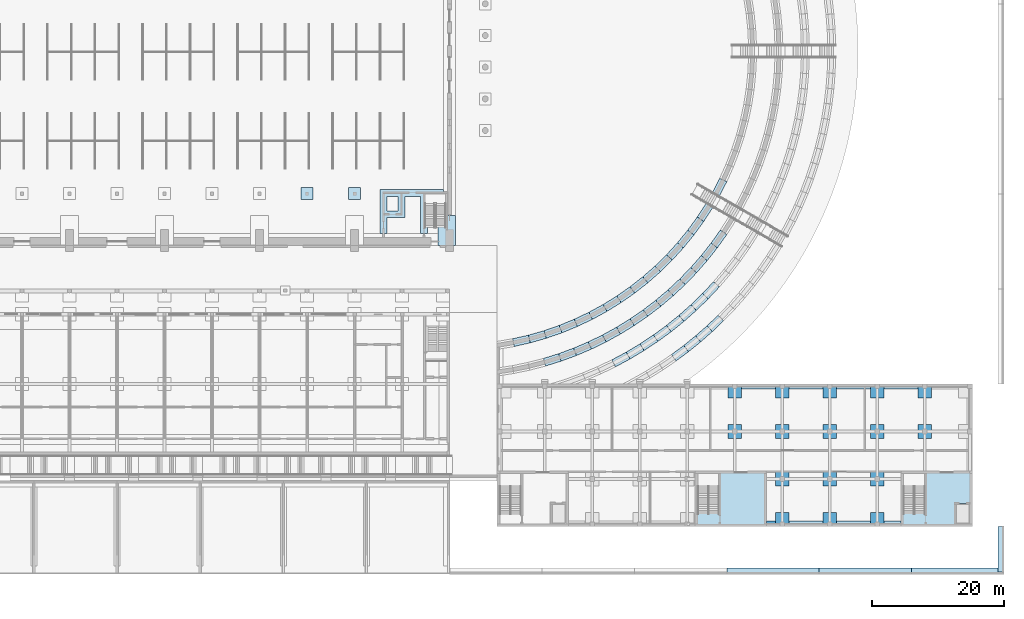
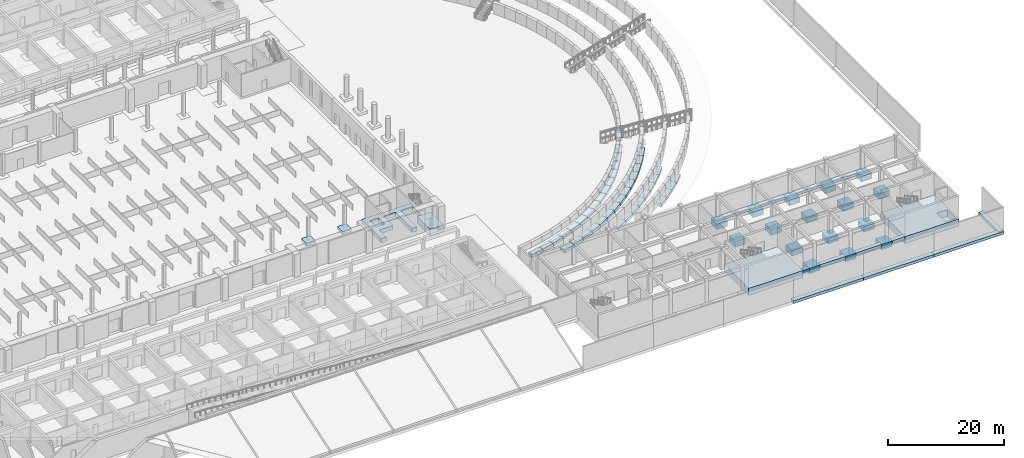
# One storey, part 7 of 73: 76 footings.
"""IFC4 building model written with IfcOpenShell, lengths in metres."""

from ifc_helpers import new_model, si_unit, direction, frame, origin, origin_2d, place, context, subcontext, project, spatial, polyline, rectangle, outline, extrude, material, type_object, element, save


model = new_model("IFC4")

# Units and contexts
model_context = context("Model", 3, precision=1e-05, world=origin(), true_north=direction((0.0, 1.0)))
body_context = subcontext(model_context, "Body", "Model", "MODEL_VIEW")
ifc_project = project(units=[si_unit("LENGTHUNIT", "METRE"), si_unit("AREAUNIT", "SQUARE_METRE"), si_unit("VOLUMEUNIT", "CUBIC_METRE"), si_unit("PLANEANGLEUNIT", "RADIAN"), si_unit("MASSUNIT", "GRAM", prefix="KILO")], contexts=[model_context])

# Site, building, storey
site_placement = place(None, origin())
site = spatial("IfcSite", under=ifc_project, at=site_placement, CompositionType="ELEMENT")
building_placement = place(site_placement, origin())
building = spatial("IfcBuilding", under=site, at=building_placement, Name="Alderwick Market Hall", CompositionType="ELEMENT")
storey_placement = place(building_placement, origin())
storey = spatial("IfcBuildingStorey", under=building, at=storey_placement, Name="LG", CompositionType="ELEMENT", Elevation=0.0)

# Footings
ifc_material = material(Name="Concrete 4000 psi (f'c 28 MPa)", Category="concrete")
footing_type_1 = type_object("IfcFootingType", Name="C Core Raft 10800x8400x1500", PredefinedType="PAD_FOOTING", material=ifc_material)
footing_1_placement = place(storey_placement, frame((0.0, 0.0, -1.800048828125)))
element("IfcFooting", 1, at=footing_1_placement, inside=storey, type_object=footing_type_1, Name="C.raft.LG.B", PredefinedType="PAD_FOOTING", context=body_context, shape_type="SweptSolid", body=[
    extrude(outline(polyline([(188.39990234375, 15.60009765625), (199.199951171875, 15.60009765625), (199.199951171875, 7.199951171875), (188.39990234375, 7.199951171875), (188.39990234375, 15.60009765625)])), origin(), (0.0, 0.0, 1.0), 1.5),
])
footing_2_placement = place(storey_placement, frame((0.0, 0.0, -1.800048828125)))
element("IfcFooting", 2, at=footing_2_placement, inside=storey, type_object=footing_type_1, Name="C.raft.LG.C", PredefinedType="PAD_FOOTING", context=body_context, shape_type="SweptSolid", body=[
    extrude(outline(polyline([(219.60009765625, 15.60009765625), (230.39990234375, 15.60009765625), (230.39990234375, 7.199951171875), (219.60009765625, 7.199951171875), (219.60009765625, 15.60009765625)]), holes=[polyline([(227.89990234375, 10.60009765625), (230.0, 10.60009765625), (230.0, 7.60009765625), (227.89990234375, 7.60009765625), (227.89990234375, 10.60009765625)])]), origin(), (0.0, 0.0, 1.0), 1.5),
])
footing_type_2 = type_object("IfcFootingType", Name="C Pad Footing 2100x2100x1200", PredefinedType="PAD_FOOTING", material=ifc_material)
for number, where, z_axis, x_axis, name in (
    (3, (194.39990234375, 27.75, -1.5), (0.0, 0.0, 1.0), (1.0, 0.0, 0.0), "C.cap.LG.06"),
    (4, (201.60009765625, 27.75, -1.5), (0.0, 0.0, 1.0), (1.0, 0.0, 0.0), "C.cap.LG.07"),
    (5, (208.800048828125, 27.75, -1.5), (0.0, 0.0, 1.0), (1.0, 0.0, 0.0), "C.cap.LG.08"),
    (6, (216.0, 27.75, -1.5), (0.0, 0.0, 1.0), (1.0, 0.0, 0.0), "C.cap.LG.09"),
    (7, (223.199951171875, 27.75, -1.5), (0.0, 0.0, 1.0), (1.0, 0.0, 0.0), "C.cap.LG.10"),
    (8, (194.39990234375, 21.60009765625, -1.5), (0.0, 0.0, 1.0), (1.0, 0.0, 0.0), "C.cap.LG.17"),
    (9, (201.60009765625, 21.60009765625, -1.5), (0.0, 0.0, 1.0), (1.0, 0.0, 0.0), "C.cap.LG.18"),
    (10, (208.800048828125, 21.60009765625, -1.5), (0.0, 0.0, 1.0), (1.0, 0.0, 0.0), "C.cap.LG.19"),
    (11, (216.0, 21.60009765625, -1.5), (0.0, 0.0, 1.0), (1.0, 0.0, 0.0), "C.cap.LG.20"),
    (12, (223.199951171875, 21.60009765625, -1.5), (0.0, 0.0, 1.0), (1.0, 0.0, 0.0), "C.cap.LG.21"),
    (13, (201.60009765625, 14.39990234375, -1.5), (0.0, 0.0, 1.0), (1.0, 0.0, 0.0), "C.cap.LG.26"),
    (14, (208.800048828125, 14.39990234375, -1.5), (0.0, 0.0, 1.0), (1.0, 0.0, 0.0), "C.cap.LG.27"),
    (15, (216.0, 14.39990234375, -1.5), (0.0, 0.0, 1.0), (1.0, 0.0, 0.0), "C.cap.LG.28"),
    (16, (201.60009765625, 8.25, -1.5), (0.0, 0.0, 1.0), (1.0, 0.0, 0.0), "C.cap.LG.32"),
    (17, (208.800048828125, 8.25, -1.5), (0.0, 0.0, 1.0), (1.0, 0.0, 0.0), "C.cap.LG.33"),
    (18, (216.0, 8.25, -1.5), (0.0, 0.0, 1.0), (1.0, 0.0, 0.0), "C.cap.LG.34"),
):
    element("IfcFooting", number, at=place(storey_placement, frame(where, z_axis=z_axis, x_axis=x_axis)), inside=storey, type_object=footing_type_2, Name=name, PredefinedType="PAD_FOOTING", context=body_context, shape_type="SweptSolid", body=[
        extrude(rectangle(XDim=2.10009765625, YDim=2.10009765625, at=origin_2d()), origin(), (0.0, 0.0, 1.0), 1.199951171875),
    ])
footing_type_3 = type_object("IfcFootingType", Name="C Strip Footing 800x600", PredefinedType="STRIP_FOOTING", material=ifc_material)
footing_3_placement = place(storey_placement, frame((0.0, 0.0, -0.89990234375)))
element("IfcFooting", 19, at=footing_3_placement, inside=storey, type_object=footing_type_3, Name="C.strip.LG.06", PredefinedType="STRIP_FOOTING", context=body_context, shape_type="SweptSolid", body=[
    extrude(outline(polyline([(195.450927734375, 28.0), (200.549072265625, 28.0), (200.549072265625, 28.800048828125), (195.450927734375, 28.800048828125), (195.450927734375, 28.0)])), origin(), (0.0, 0.0, 1.0), 0.599853515625),
])
footing_4_placement = place(storey_placement, frame((0.0, 0.0, -0.89990234375)))
element("IfcFooting", 20, at=footing_4_placement, inside=storey, type_object=footing_type_3, Name="C.strip.LG.07", PredefinedType="STRIP_FOOTING", context=body_context, shape_type="SweptSolid", body=[
    extrude(outline(polyline([(202.65087890625, 28.0), (207.7490234375, 28.0), (207.7490234375, 28.800048828125), (202.65087890625, 28.800048828125), (202.65087890625, 28.0)])), origin(), (0.0, 0.0, 1.0), 0.599853515625),
])
footing_5_placement = place(storey_placement, frame((0.0, 0.0, -0.89990234375)))
element("IfcFooting", 21, at=footing_5_placement, inside=storey, type_object=footing_type_3, Name="C.strip.LG.08", PredefinedType="STRIP_FOOTING", context=body_context, shape_type="SweptSolid", body=[
    extrude(outline(polyline([(209.85107421875, 28.0), (214.948974609375, 28.0), (214.948974609375, 28.800048828125), (209.85107421875, 28.800048828125), (209.85107421875, 28.0)])), origin(), (0.0, 0.0, 1.0), 0.599853515625),
])
footing_6_placement = place(storey_placement, frame((0.0, 0.0, -0.89990234375)))
element("IfcFooting", 22, at=footing_6_placement, inside=storey, type_object=footing_type_3, Name="C.strip.LG.09", PredefinedType="STRIP_FOOTING", context=body_context, shape_type="SweptSolid", body=[
    extrude(outline(polyline([(217.051025390625, 28.0), (222.14892578125, 28.0), (222.14892578125, 28.800048828125), (217.051025390625, 28.800048828125), (217.051025390625, 28.0)])), origin(), (0.0, 0.0, 1.0), 0.599853515625),
])
footing_7_placement = place(storey_placement, frame((0.0, 0.0, -0.89990234375)))
element("IfcFooting", 23, at=footing_7_placement, inside=storey, type_object=footing_type_3, Name="C.strip.LG.14", PredefinedType="STRIP_FOOTING", context=body_context, shape_type="SweptSolid", body=[
    extrude(outline(polyline([(199.200927734375, 7.199951171875), (200.549072265625, 7.199951171875), (200.549072265625, 8.0), (199.200927734375, 8.0), (199.200927734375, 7.199951171875)])), origin(), (0.0, 0.0, 1.0), 0.599853515625),
])
footing_8_placement = place(storey_placement, frame((0.0, 0.0, -0.89990234375)))
element("IfcFooting", 24, at=footing_8_placement, inside=storey, type_object=footing_type_3, Name="C.strip.LG.15", PredefinedType="STRIP_FOOTING", context=body_context, shape_type="SweptSolid", body=[
    extrude(outline(polyline([(202.65087890625, 7.199951171875), (207.7490234375, 7.199951171875), (207.7490234375, 8.0), (202.65087890625, 8.0), (202.65087890625, 7.199951171875)])), origin(), (0.0, 0.0, 1.0), 0.599853515625),
])
footing_9_placement = place(storey_placement, frame((0.0, 0.0, -0.89990234375)))
element("IfcFooting", 25, at=footing_9_placement, inside=storey, type_object=footing_type_3, Name="C.strip.LG.16", PredefinedType="STRIP_FOOTING", context=body_context, shape_type="SweptSolid", body=[
    extrude(outline(polyline([(209.85107421875, 7.199951171875), (214.948974609375, 7.199951171875), (214.948974609375, 8.0), (209.85107421875, 8.0), (209.85107421875, 7.199951171875)])), origin(), (0.0, 0.0, 1.0), 0.599853515625),
])
footing_10_placement = place(storey_placement, frame((0.0, 0.0, -0.89990234375)))
element("IfcFooting", 26, at=footing_10_placement, inside=storey, type_object=footing_type_3, Name="C.strip.LG.17", PredefinedType="STRIP_FOOTING", context=body_context, shape_type="SweptSolid", body=[
    extrude(outline(polyline([(217.051025390625, 7.199951171875), (219.59912109375, 7.199951171875), (219.59912109375, 8.0), (217.051025390625, 8.0), (217.051025390625, 7.199951171875)])), origin(), (0.0, 0.0, 1.0), 0.599853515625),
])
footing_type_4 = type_object("IfcFootingType", Name="H Pad footing 1800x1800x600", PredefinedType="PAD_FOOTING", material=ifc_material)
footing_11_placement = place(storey_placement, frame((0.0, 0.0, -0.60009765625)))
element("IfcFooting", 27, at=footing_11_placement, inside=storey, type_object=footing_type_4, Name="Pad footing", PredefinedType="PAD_FOOTING", context=body_context, shape_type="SweptSolid", body=[
    extrude(outline(polyline([(128.699951171875, 56.739990234375), (128.699951171875, 58.5400390625), (130.5, 58.5400390625), (130.5, 56.739990234375), (128.699951171875, 56.739990234375)])), origin(), (0.0, 0.0, 1.0), 0.60009765625),
])
footing_12_placement = place(storey_placement, frame((0.0, 0.0, -0.60009765625)))
element("IfcFooting", 28, at=footing_12_placement, inside=storey, type_object=footing_type_4, Name="Pad footing", PredefinedType="PAD_FOOTING", context=body_context, shape_type="SweptSolid", body=[
    extrude(outline(polyline([(135.89990234375, 56.739990234375), (135.89990234375, 58.5400390625), (137.699951171875, 58.5400390625), (137.699951171875, 56.739990234375), (135.89990234375, 56.739990234375)])), origin(), (0.0, 0.0, 1.0), 0.60009765625),
])
footing_type_5 = type_object("IfcFootingType", Name="H Pad footing 2700x4500x1500", PredefinedType="PAD_FOOTING", material=ifc_material)
footing_13_placement = place(storey_placement, frame((150.75, 52.050048828125, -1.5), z_axis=(0.0, 0.0, 1.0), x_axis=(1.0, 0.0, 0.0)))
element("IfcFooting", 29, at=footing_13_placement, inside=storey, type_object=footing_type_5, Name="Pier footing S8", PredefinedType="PAD_FOOTING", context=body_context, shape_type="SweptSolid", body=[
    extrude(rectangle(XDim=2.699951171875, YDim=4.5, at=origin_2d()), origin(), (0.0, 0.0, 1.0), 1.5),
])
footing_type_6 = type_object("IfcFootingType", Name="H Strip footing 900", PredefinedType="STRIP_FOOTING", material=ifc_material)
footing_14_placement = place(storey_placement, frame((0.0, 0.0, -0.89990234375)))
element("IfcFooting", 30, at=footing_14_placement, inside=storey, type_object=footing_type_6, Name="Core wall footing", PredefinedType="STRIP_FOOTING", context=body_context, shape_type="SweptSolid", body=[
    extrude(outline(polyline([(150.300048828125, 54.300048828125), (150.199951171875, 54.300048828125), (150.199951171875, 57.239990234375), (147.85009765625, 57.239990234375), (147.85009765625, 51.60009765625), (146.800048828125, 51.60009765625), (146.800048828125, 57.239990234375), (144.449951171875, 57.239990234375), (144.449951171875, 53.989990234375), (141.699951171875, 53.989990234375), (141.699951171875, 51.60009765625), (140.64990234375, 51.60009765625), (140.64990234375, 58.2900390625), (150.300048828125, 58.2900390625), (150.300048828125, 54.300048828125)]), holes=[polyline([(141.699951171875, 57.239990234375), (141.699951171875, 55.0400390625), (143.39990234375, 55.0400390625), (143.39990234375, 57.239990234375), (141.699951171875, 57.239990234375)])]), origin(), (0.0, 0.0, 1.0), 0.89990234375),
])
footing_type_7 = type_object("IfcFootingType", Name="S Strip Footing 900", PredefinedType="STRIP_FOOTING", material=ifc_material)
footing_15_placement = place(storey_placement, frame((0.0, 0.0, -0.800048828125)))
element("IfcFooting", 31, at=footing_15_placement, inside=storey, type_object=footing_type_7, Name="S.ffoot.W1.02", PredefinedType="STRIP_FOOTING", context=body_context, shape_type="SweptSolid", body=[
    extrude(outline(polyline([(160.968994140625, 34.470703125), (163.427001953125, 35.029296875), (163.12890625, 36.191650390625), (160.735595703125, 35.64794921875), (160.968994140625, 34.470703125)])), origin(), (0.0, 0.0, 1.0), 0.60009765625),
])
footing_16_placement = place(storey_placement, frame((0.0, 0.0, -0.800048828125)))
element("IfcFooting", 32, at=footing_16_placement, inside=storey, type_object=footing_type_7, Name="S.ffoot.W1.03", PredefinedType="STRIP_FOOTING", context=body_context, shape_type="SweptSolid", body=[
    extrude(outline(polyline([(163.427001953125, 35.029296875), (165.85009765625, 35.722412109375), (165.48828125, 36.86669921875), (163.12890625, 36.191650390625), (163.427001953125, 35.029296875)])), origin(), (0.0, 0.0, 1.0), 0.60009765625),
])
footing_17_placement = place(storey_placement, frame((0.0, 0.0, -0.800048828125)))
element("IfcFooting", 33, at=footing_17_placement, inside=storey, type_object=footing_type_7, Name="S.ffoot.W1.04", PredefinedType="STRIP_FOOTING", context=body_context, shape_type="SweptSolid", body=[
    extrude(outline(polyline([(165.85009765625, 35.722412109375), (168.2314453125, 36.548583984375), (167.806884765625, 37.671142578125), (165.48828125, 36.86669921875), (165.85009765625, 35.722412109375)])), origin(), (0.0, 0.0, 1.0), 0.60009765625),
])
footing_18_placement = place(storey_placement, frame((0.0, 0.0, -0.800048828125)))
element("IfcFooting", 34, at=footing_18_placement, inside=storey, type_object=footing_type_7, Name="S.ffoot.W1.05", PredefinedType="STRIP_FOOTING", context=body_context, shape_type="SweptSolid", body=[
    extrude(outline(polyline([(168.2314453125, 36.548583984375), (170.5634765625, 37.505126953125), (170.07763671875, 38.602294921875), (167.806884765625, 37.671142578125), (168.2314453125, 36.548583984375)])), origin(), (0.0, 0.0, 1.0), 0.60009765625),
])
footing_19_placement = place(storey_placement, frame((0.0, 0.0, -0.800048828125)))
element("IfcFooting", 35, at=footing_19_placement, inside=storey, type_object=footing_type_7, Name="S.ffoot.W1.06", PredefinedType="STRIP_FOOTING", context=body_context, shape_type="SweptSolid", body=[
    extrude(outline(polyline([(170.5634765625, 37.505126953125), (172.839111328125, 38.589111328125), (172.29345703125, 39.65771484375), (170.07763671875, 38.602294921875), (170.5634765625, 37.505126953125)])), origin(), (0.0, 0.0, 1.0), 0.60009765625),
])
footing_20_placement = place(storey_placement, frame((0.0, 0.0, -0.800048828125)))
element("IfcFooting", 36, at=footing_20_placement, inside=storey, type_object=footing_type_7, Name="S.ffoot.W1.07", PredefinedType="STRIP_FOOTING", context=body_context, shape_type="SweptSolid", body=[
    extrude(outline(polyline([(172.839111328125, 38.589111328125), (175.05126953125, 39.797119140625), (174.447509765625, 40.833984375), (172.29345703125, 39.65771484375), (172.839111328125, 38.589111328125)])), origin(), (0.0, 0.0, 1.0), 0.60009765625),
])
footing_21_placement = place(storey_placement, frame((0.0, 0.0, -0.800048828125)))
element("IfcFooting", 37, at=footing_21_placement, inside=storey, type_object=footing_type_7, Name="S.ffoot.W1.08", PredefinedType="STRIP_FOOTING", context=body_context, shape_type="SweptSolid", body=[
    extrude(outline(polyline([(175.05126953125, 39.797119140625), (177.193603515625, 41.12548828125), (176.533203125, 42.127197265625), (174.447509765625, 40.833984375), (175.05126953125, 39.797119140625)])), origin(), (0.0, 0.0, 1.0), 0.60009765625),
])
footing_22_placement = place(storey_placement, frame((0.0, 0.0, -0.800048828125)))
element("IfcFooting", 38, at=footing_22_placement, inside=storey, type_object=footing_type_7, Name="S.ffoot.W1.09", PredefinedType="STRIP_FOOTING", context=body_context, shape_type="SweptSolid", body=[
    extrude(outline(polyline([(177.193603515625, 41.12548828125), (179.2587890625, 42.570068359375), (178.544189453125, 43.533935546875), (176.533203125, 42.127197265625), (177.193603515625, 41.12548828125)])), origin(), (0.0, 0.0, 1.0), 0.60009765625),
])
footing_23_placement = place(storey_placement, frame((0.0, 0.0, -0.800048828125)))
element("IfcFooting", 39, at=footing_23_placement, inside=storey, type_object=footing_type_7, Name="S.ffoot.W1.10", PredefinedType="STRIP_FOOTING", context=body_context, shape_type="SweptSolid", body=[
    extrude(outline(polyline([(179.2587890625, 42.570068359375), (181.2412109375, 44.126708984375), (180.474609375, 45.049560546875), (178.544189453125, 43.533935546875), (179.2587890625, 42.570068359375)])), origin(), (0.0, 0.0, 1.0), 0.60009765625),
])
footing_24_placement = place(storey_placement, frame((0.0, 0.0, -0.800048828125)))
element("IfcFooting", 40, at=footing_24_placement, inside=storey, type_object=footing_type_7, Name="S.ffoot.W1.11", PredefinedType="STRIP_FOOTING", context=body_context, shape_type="SweptSolid", body=[
    extrude(outline(polyline([(181.2412109375, 44.126708984375), (183.134765625, 45.790283203125), (182.318115234375, 46.669677734375), (180.474609375, 45.049560546875), (181.2412109375, 44.126708984375)])), origin(), (0.0, 0.0, 1.0), 0.60009765625),
])
footing_25_placement = place(storey_placement, frame((0.0, 0.0, -0.800048828125)))
element("IfcFooting", 41, at=footing_25_placement, inside=storey, type_object=footing_type_7, Name="S.ffoot.W1.12", PredefinedType="STRIP_FOOTING", context=body_context, shape_type="SweptSolid", body=[
    extrude(outline(polyline([(183.134765625, 45.790283203125), (184.933349609375, 47.55615234375), (184.0693359375, 48.388916015625), (182.318115234375, 46.669677734375), (183.134765625, 45.790283203125)])), origin(), (0.0, 0.0, 1.0), 0.60009765625),
])
footing_26_placement = place(storey_placement, frame((0.0, 0.0, -0.800048828125)))
element("IfcFooting", 42, at=footing_26_placement, inside=storey, type_object=footing_type_7, Name="S.ffoot.W1.13", PredefinedType="STRIP_FOOTING", context=body_context, shape_type="SweptSolid", body=[
    extrude(outline(polyline([(184.933349609375, 47.55615234375), (186.631591796875, 49.418701171875), (185.722900390625, 50.202392578125), (184.0693359375, 48.388916015625), (184.933349609375, 47.55615234375)])), origin(), (0.0, 0.0, 1.0), 0.60009765625),
])
footing_27_placement = place(storey_placement, frame((0.0, 0.0, -0.800048828125)))
element("IfcFooting", 43, at=footing_27_placement, inside=storey, type_object=footing_type_7, Name="S.ffoot.W1.14", PredefinedType="STRIP_FOOTING", context=body_context, shape_type="SweptSolid", body=[
    extrude(outline(polyline([(186.631591796875, 49.418701171875), (188.224365234375, 51.372314453125), (187.273681640625, 52.1044921875), (185.722900390625, 50.202392578125), (186.631591796875, 49.418701171875)])), origin(), (0.0, 0.0, 1.0), 0.60009765625),
])
footing_28_placement = place(storey_placement, frame((0.0, 0.0, -0.800048828125)))
element("IfcFooting", 44, at=footing_28_placement, inside=storey, type_object=footing_type_7, Name="S.ffoot.W1.15", PredefinedType="STRIP_FOOTING", context=body_context, shape_type="SweptSolid", body=[
    extrude(outline(polyline([(188.224365234375, 51.372314453125), (189.706787109375, 53.41064453125), (188.71728515625, 54.08935546875), (187.273681640625, 52.1044921875), (188.224365234375, 51.372314453125)])), origin(), (0.0, 0.0, 1.0), 0.60009765625),
])
footing_29_placement = place(storey_placement, frame((0.0, 0.0, -0.800048828125)))
element("IfcFooting", 45, at=footing_29_placement, inside=storey, type_object=footing_type_7, Name="S.ffoot.W1.16", PredefinedType="STRIP_FOOTING", context=body_context, shape_type="SweptSolid", body=[
    extrude(outline(polyline([(189.706787109375, 53.41064453125), (191.07421875, 55.528076171875), (190.048583984375, 56.15087890625), (188.71728515625, 54.08935546875), (189.706787109375, 53.41064453125)])), origin(), (0.0, 0.0, 1.0), 0.60009765625),
])
footing_30_placement = place(storey_placement, frame((0.0, 0.0, -0.800048828125)))
element("IfcFooting", 46, at=footing_30_placement, inside=storey, type_object=footing_type_7, Name="S.ffoot.W1.17", PredefinedType="STRIP_FOOTING", context=body_context, shape_type="SweptSolid", body=[
    extrude(outline(polyline([(192.087646484375, 57.283203125), (193.197265625, 59.442138671875), (192.11572265625, 59.962158203125), (191.035400390625, 57.860107421875), (192.087646484375, 57.283203125)])), origin(), (0.0, 0.0, 1.0), 0.60009765625),
])
footing_31_placement = place(storey_placement, frame((0.0, 0.0, 0.300048828125)))
element("IfcFooting", 47, at=footing_31_placement, inside=storey, type_object=footing_type_7, Name="S.ffoot.W2.04", PredefinedType="STRIP_FOOTING", context=body_context, shape_type="SweptSolid", body=[
    extrude(outline(polyline([(165.739013671875, 31.51220703125), (168.099853515625, 32.25146484375), (167.712890625, 33.38720703125), (165.4091796875, 32.666015625), (165.739013671875, 31.51220703125)])), origin(), (0.0, 0.0, 1.0), 0.599853515625),
])
footing_32_placement = place(storey_placement, frame((0.0, 0.0, 0.300048828125)))
element("IfcFooting", 48, at=footing_32_placement, inside=storey, type_object=footing_type_7, Name="S.ffoot.W2.05", PredefinedType="STRIP_FOOTING", context=body_context, shape_type="SweptSolid", body=[
    extrude(outline(polyline([(168.099853515625, 32.25146484375), (170.4208984375, 33.107666015625), (169.9775390625, 34.222900390625), (167.712890625, 33.38720703125), (168.099853515625, 32.25146484375)])), origin(), (0.0, 0.0, 1.0), 0.599853515625),
])
footing_33_placement = place(storey_placement, frame((0.0, 0.0, 0.300048828125)))
element("IfcFooting", 49, at=footing_33_placement, inside=storey, type_object=footing_type_7, Name="S.ffoot.W2.06", PredefinedType="STRIP_FOOTING", context=body_context, shape_type="SweptSolid", body=[
    extrude(outline(polyline([(170.4208984375, 33.107666015625), (172.6962890625, 34.07861328125), (172.197998046875, 35.170166015625), (169.9775390625, 34.222900390625), (170.4208984375, 33.107666015625)])), origin(), (0.0, 0.0, 1.0), 0.599853515625),
])
footing_34_placement = place(storey_placement, frame((0.0, 0.0, 0.300048828125)))
element("IfcFooting", 50, at=footing_34_placement, inside=storey, type_object=footing_type_7, Name="S.ffoot.W2.07", PredefinedType="STRIP_FOOTING", context=body_context, shape_type="SweptSolid", body=[
    extrude(outline(polyline([(172.6962890625, 34.07861328125), (174.92041015625, 35.16162109375), (174.368408203125, 36.22705078125), (172.197998046875, 35.170166015625), (172.6962890625, 34.07861328125)])), origin(), (0.0, 0.0, 1.0), 0.599853515625),
])
footing_35_placement = place(storey_placement, frame((0.0, 0.0, 0.300048828125)))
element("IfcFooting", 51, at=footing_35_placement, inside=storey, type_object=footing_type_7, Name="S.ffoot.W2.08", PredefinedType="STRIP_FOOTING", context=body_context, shape_type="SweptSolid", body=[
    extrude(outline(polyline([(174.92041015625, 35.16162109375), (177.087890625, 36.35400390625), (176.4833984375, 37.390625), (174.368408203125, 36.22705078125), (174.92041015625, 35.16162109375)])), origin(), (0.0, 0.0, 1.0), 0.599853515625),
])
footing_36_placement = place(storey_placement, frame((0.0, 0.0, 0.300048828125)))
element("IfcFooting", 52, at=footing_36_placement, inside=storey, type_object=footing_type_7, Name="S.ffoot.W2.09", PredefinedType="STRIP_FOOTING", context=body_context, shape_type="SweptSolid", body=[
    extrude(outline(polyline([(177.087890625, 36.35400390625), (179.193115234375, 37.6533203125), (178.53759765625, 38.658447265625), (176.4833984375, 37.390625), (177.087890625, 36.35400390625)])), origin(), (0.0, 0.0, 1.0), 0.599853515625),
])
footing_37_placement = place(storey_placement, frame((0.0, 0.0, 0.300048828125)))
element("IfcFooting", 53, at=footing_37_placement, inside=storey, type_object=footing_type_7, Name="S.ffoot.W2.10", PredefinedType="STRIP_FOOTING", context=body_context, shape_type="SweptSolid", body=[
    extrude(outline(polyline([(179.193115234375, 37.6533203125), (181.23095703125, 39.055908203125), (180.526123046875, 40.027099609375), (178.53759765625, 38.658447265625), (179.193115234375, 37.6533203125)])), origin(), (0.0, 0.0, 1.0), 0.599853515625),
])
footing_38_placement = place(storey_placement, frame((0.0, 0.0, 0.300048828125)))
element("IfcFooting", 54, at=footing_38_placement, inside=storey, type_object=footing_type_7, Name="S.ffoot.W2.11", PredefinedType="STRIP_FOOTING", context=body_context, shape_type="SweptSolid", body=[
    extrude(outline(polyline([(181.23095703125, 39.055908203125), (183.1962890625, 40.558349609375), (182.44384765625, 41.4931640625), (180.526123046875, 40.027099609375), (181.23095703125, 39.055908203125)])), origin(), (0.0, 0.0, 1.0), 0.599853515625),
])
footing_39_placement = place(storey_placement, frame((0.0, 0.0, 0.300048828125)))
element("IfcFooting", 55, at=footing_39_placement, inside=storey, type_object=footing_type_7, Name="S.ffoot.W2.12", PredefinedType="STRIP_FOOTING", context=body_context, shape_type="SweptSolid", body=[
    extrude(outline(polyline([(183.1962890625, 40.558349609375), (185.084228515625, 42.15673828125), (184.286376953125, 43.052978515625), (182.44384765625, 41.4931640625), (183.1962890625, 40.558349609375)])), origin(), (0.0, 0.0, 1.0), 0.599853515625),
])
footing_40_placement = place(storey_placement, frame((0.0, 0.0, 0.300048828125)))
element("IfcFooting", 56, at=footing_40_placement, inside=storey, type_object=footing_type_7, Name="S.ffoot.W2.13", PredefinedType="STRIP_FOOTING", context=body_context, shape_type="SweptSolid", body=[
    extrude(outline(polyline([(185.084228515625, 42.15673828125), (186.89013671875, 43.847412109375), (186.048583984375, 44.702880859375), (184.286376953125, 43.052978515625), (185.084228515625, 42.15673828125)])), origin(), (0.0, 0.0, 1.0), 0.599853515625),
])
footing_41_placement = place(storey_placement, frame((0.0, 0.0, 0.300048828125)))
element("IfcFooting", 57, at=footing_41_placement, inside=storey, type_object=footing_type_7, Name="S.ffoot.W2.14", PredefinedType="STRIP_FOOTING", context=body_context, shape_type="SweptSolid", body=[
    extrude(outline(polyline([(186.89013671875, 43.847412109375), (188.609619140625, 45.626220703125), (187.726318359375, 46.4384765625), (186.048583984375, 44.702880859375), (186.89013671875, 43.847412109375)])), origin(), (0.0, 0.0, 1.0), 0.599853515625),
])
footing_42_placement = place(storey_placement, frame((0.0, 0.0, 0.300048828125)))
element("IfcFooting", 58, at=footing_42_placement, inside=storey, type_object=footing_type_7, Name="S.ffoot.W2.15", PredefinedType="STRIP_FOOTING", context=body_context, shape_type="SweptSolid", body=[
    extrude(outline(polyline([(188.609619140625, 45.626220703125), (190.23828125, 47.48828125), (189.315673828125, 48.255615234375), (187.726318359375, 46.4384765625), (188.609619140625, 45.626220703125)])), origin(), (0.0, 0.0, 1.0), 0.599853515625),
])
footing_43_placement = place(storey_placement, frame((0.0, 0.0, 0.300048828125)))
element("IfcFooting", 59, at=footing_43_placement, inside=storey, type_object=footing_type_7, Name="S.ffoot.W2.16", PredefinedType="STRIP_FOOTING", context=body_context, shape_type="SweptSolid", body=[
    extrude(outline(polyline([(190.23828125, 47.48828125), (191.77197265625, 49.42919921875), (190.812255859375, 50.149658203125), (189.315673828125, 48.255615234375), (190.23828125, 47.48828125)])), origin(), (0.0, 0.0, 1.0), 0.599853515625),
])
footing_44_placement = place(storey_placement, frame((0.0, 0.0, 0.300048828125)))
element("IfcFooting", 60, at=footing_44_placement, inside=storey, type_object=footing_type_7, Name="S.ffoot.W2.17", PredefinedType="STRIP_FOOTING", context=body_context, shape_type="SweptSolid", body=[
    extrude(outline(polyline([(191.77197265625, 49.42919921875), (193.20703125, 51.4443359375), (192.21240234375, 52.115966796875), (190.812255859375, 50.149658203125), (191.77197265625, 49.42919921875)])), origin(), (0.0, 0.0, 1.0), 0.599853515625),
])
footing_45_placement = place(storey_placement, frame((0.0, 0.0, 1.5)))
element("IfcFooting", 61, at=footing_45_placement, inside=storey, type_object=footing_type_7, Name="S.ffoot.W3.04", PredefinedType="STRIP_FOOTING", context=body_context, shape_type="SweptSolid", body=[
    extrude(outline(polyline([(176.3369140625, 31.392822265625), (178.537353515625, 32.573486328125), (177.945556640625, 33.617431640625), (175.79443359375, 32.463134765625), (176.3369140625, 31.392822265625)])), origin(), (0.0, 0.0, 1.0), 0.60009765625),
])
footing_46_placement = place(storey_placement, frame((0.0, 0.0, 1.5)))
element("IfcFooting", 62, at=footing_46_placement, inside=storey, type_object=footing_type_7, Name="S.ffoot.W3.05", PredefinedType="STRIP_FOOTING", context=body_context, shape_type="SweptSolid", body=[
    extrude(outline(polyline([(178.537353515625, 32.573486328125), (180.680419921875, 33.85546875), (180.04052734375, 34.87060546875), (177.945556640625, 33.617431640625), (178.537353515625, 32.573486328125)])), origin(), (0.0, 0.0, 1.0), 0.60009765625),
])
footing_47_placement = place(storey_placement, frame((0.0, 0.0, 1.5)))
element("IfcFooting", 63, at=footing_47_placement, inside=storey, type_object=footing_type_7, Name="S.ffoot.W3.06", PredefinedType="STRIP_FOOTING", context=body_context, shape_type="SweptSolid", body=[
    extrude(outline(polyline([(180.680419921875, 33.85546875), (182.76123046875, 35.23583984375), (182.074951171875, 36.22021484375), (180.04052734375, 34.87060546875), (180.680419921875, 33.85546875)])), origin(), (0.0, 0.0, 1.0), 0.60009765625),
])
footing_48_placement = place(storey_placement, frame((0.0, 0.0, 1.5)))
element("IfcFooting", 64, at=footing_48_placement, inside=storey, type_object=footing_type_7, Name="S.ffoot.W3.07", PredefinedType="STRIP_FOOTING", context=body_context, shape_type="SweptSolid", body=[
    extrude(outline(polyline([(182.76123046875, 35.23583984375), (184.775634765625, 36.711669921875), (184.044189453125, 37.662841796875), (182.074951171875, 36.22021484375), (182.76123046875, 35.23583984375)])), origin(), (0.0, 0.0, 1.0), 0.60009765625),
])
footing_49_placement = place(storey_placement, frame((0.0, 0.0, 1.5)))
element("IfcFooting", 65, at=footing_49_placement, inside=storey, type_object=footing_type_7, Name="S.ffoot.W3.08", PredefinedType="STRIP_FOOTING", context=body_context, shape_type="SweptSolid", body=[
    extrude(outline(polyline([(184.775634765625, 36.711669921875), (186.71923828125, 38.27978515625), (185.944091796875, 39.19580078125), (184.044189453125, 37.662841796875), (184.775634765625, 36.711669921875)])), origin(), (0.0, 0.0, 1.0), 0.60009765625),
])
footing_50_placement = place(storey_placement, frame((0.0, 0.0, 1.5)))
element("IfcFooting", 66, at=footing_50_placement, inside=storey, type_object=footing_type_7, Name="S.ffoot.W3.09", PredefinedType="STRIP_FOOTING", context=body_context, shape_type="SweptSolid", body=[
    extrude(outline(polyline([(186.71923828125, 38.27978515625), (188.587646484375, 39.9365234375), (187.770751953125, 40.815673828125), (185.944091796875, 39.19580078125), (186.71923828125, 38.27978515625)])), origin(), (0.0, 0.0, 1.0), 0.60009765625),
])
footing_51_placement = place(storey_placement, frame((0.0, 0.0, 1.5)))
element("IfcFooting", 67, at=footing_51_placement, inside=storey, type_object=footing_type_7, Name="S.ffoot.W3.10", PredefinedType="STRIP_FOOTING", context=body_context, shape_type="SweptSolid", body=[
    extrude(outline(polyline([(188.587646484375, 39.9365234375), (190.376708984375, 41.6787109375), (189.519775390625, 42.518798828125), (187.770751953125, 40.815673828125), (188.587646484375, 39.9365234375)])), origin(), (0.0, 0.0, 1.0), 0.60009765625),
])
footing_52_placement = place(storey_placement, frame((0.0, 0.0, 1.5)))
element("IfcFooting", 68, at=footing_52_placement, inside=storey, type_object=footing_type_7, Name="S.ffoot.W3.11", PredefinedType="STRIP_FOOTING", context=body_context, shape_type="SweptSolid", body=[
    extrude(outline(polyline([(190.376708984375, 41.6787109375), (192.082763671875, 43.502197265625), (191.1875, 44.30126953125), (189.519775390625, 42.518798828125), (190.376708984375, 41.6787109375)])), origin(), (0.0, 0.0, 1.0), 0.60009765625),
])
footing_53_placement = place(storey_placement, frame((0.0, 0.0, 2.699951171875)))
element("IfcFooting", 69, at=footing_53_placement, inside=storey, type_object=footing_type_7, Name="S.ffoot.W4.04", PredefinedType="STRIP_FOOTING", context=body_context, shape_type="SweptSolid", body=[
    extrude(outline(polyline([(185.502685546875, 32.2744140625), (187.402587890625, 33.6865234375), (186.667236328125, 34.634765625), (184.806884765625, 33.251953125), (185.502685546875, 32.2744140625)])), origin(), (0.0, 0.0, 1.0), 0.60009765625),
])
footing_54_placement = place(storey_placement, frame((0.0, 0.0, 2.699951171875)))
element("IfcFooting", 70, at=footing_54_placement, inside=storey, type_object=footing_type_7, Name="S.ffoot.W4.05", PredefinedType="STRIP_FOOTING", context=body_context, shape_type="SweptSolid", body=[
    extrude(outline(polyline([(187.402587890625, 33.6865234375), (189.2431640625, 35.175537109375), (188.46923828125, 36.0927734375), (186.667236328125, 34.634765625), (187.402587890625, 33.6865234375)])), origin(), (0.0, 0.0, 1.0), 0.60009765625),
])
footing_55_placement = place(storey_placement, frame((0.0, 0.0, 2.699951171875)))
element("IfcFooting", 71, at=footing_55_placement, inside=storey, type_object=footing_type_7, Name="S.ffoot.W4.06", PredefinedType="STRIP_FOOTING", context=body_context, shape_type="SweptSolid", body=[
    extrude(outline(polyline([(189.2431640625, 35.175537109375), (191.020751953125, 36.739013671875), (190.2099609375, 37.623779296875), (188.46923828125, 36.0927734375), (189.2431640625, 35.175537109375)])), origin(), (0.0, 0.0, 1.0), 0.60009765625),
])
footing_56_placement = place(storey_placement, frame((0.0, 0.0, 2.699951171875)))
element("IfcFooting", 72, at=footing_56_placement, inside=storey, type_object=footing_type_7, Name="S.ffoot.W4.07", PredefinedType="STRIP_FOOTING", context=body_context, shape_type="SweptSolid", body=[
    extrude(outline(polyline([(191.020751953125, 36.739013671875), (192.73291015625, 38.374267578125), (191.88623046875, 39.224853515625), (190.2099609375, 37.623779296875), (191.020751953125, 36.739013671875)])), origin(), (0.0, 0.0, 1.0), 0.60009765625),
])
footing_57_placement = place(storey_placement, frame((0.0, 0.0, -0.85009765625)))
element("IfcFooting", 73, at=footing_57_placement, inside=storey, type_object=footing_type_7, Name="S.bfoot.S01d", PredefinedType="STRIP_FOOTING", context=body_context, shape_type="SweptSolid", body=[
    extrude(outline(polyline([(193.199951171875, 0.89990234375), (193.199951171875, 0.0), (207.199951171875, 0.0), (207.199951171875, 0.89990234375), (193.199951171875, 0.89990234375)])), origin(), (0.0, 0.0, 1.0), 0.60009765625),
])
footing_58_placement = place(storey_placement, frame((0.0, 0.0, -0.85009765625)))
element("IfcFooting", 74, at=footing_58_placement, inside=storey, type_object=footing_type_7, Name="S.bfoot.S01e", PredefinedType="STRIP_FOOTING", context=body_context, shape_type="SweptSolid", body=[
    extrude(outline(polyline([(207.199951171875, 0.89990234375), (207.199951171875, 0.0), (221.199951171875, 0.0), (221.199951171875, 0.89990234375), (207.199951171875, 0.89990234375)])), origin(), (0.0, 0.0, 1.0), 0.60009765625),
])
footing_59_placement = place(storey_placement, frame((0.0, 0.0, -0.85009765625)))
element("IfcFooting", 75, at=footing_59_placement, inside=storey, type_object=footing_type_7, Name="S.bfoot.S01f", PredefinedType="STRIP_FOOTING", context=body_context, shape_type="SweptSolid", body=[
    extrude(outline(polyline([(221.199951171875, 0.89990234375), (221.199951171875, 0.0), (235.199951171875, 0.0), (235.199951171875, 0.89990234375), (221.199951171875, 0.89990234375)])), origin(), (0.0, 0.0, 1.0), 0.60009765625),
])
footing_60_placement = place(storey_placement, frame((0.0, 0.0, -0.85009765625)))
element("IfcFooting", 76, at=footing_60_placement, inside=storey, type_object=footing_type_7, Name="S.bfoot.E03a", PredefinedType="STRIP_FOOTING", context=body_context, shape_type="SweptSolid", body=[
    extrude(outline(polyline([(234.300048828125, 0.300048828125), (235.199951171875, 0.300048828125), (235.199951171875, 7.199951171875), (234.300048828125, 7.199951171875), (234.300048828125, 0.300048828125)])), origin(), (0.0, 0.0, 1.0), 0.60009765625),
])

save(model, "model.ifc")
